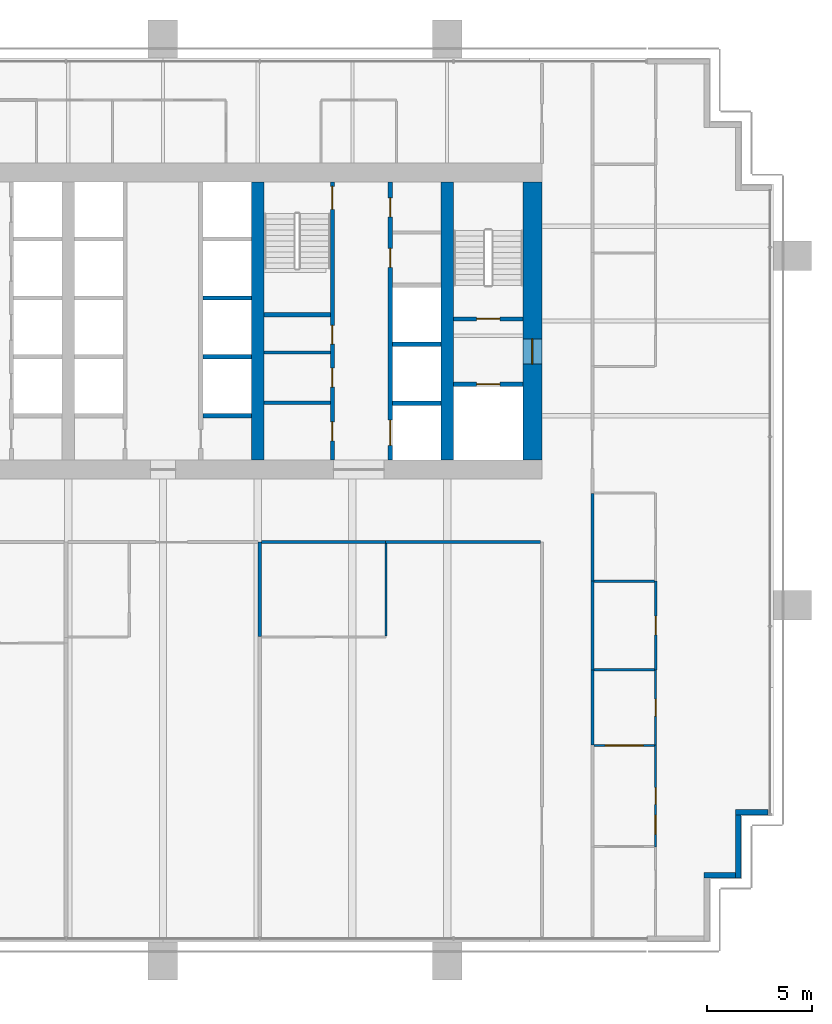
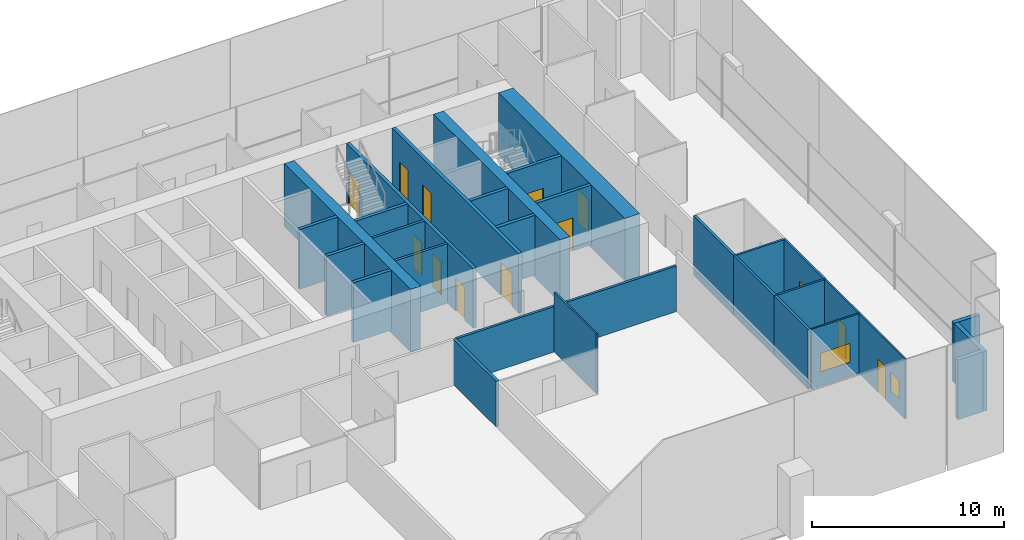
# One storey, part 12 of 17: 31 walls, 13 doors, 2 windows, 15 openings.
"""IFC4 building model written with IfcOpenShell, lengths in metres."""

from ifc_helpers import new_model, si_unit, direction, frame, frame_2d, origin, place, context, subcontext, project, spatial, rectangle, extrude, material, layer, layer_set, type_object, element, fill, save


model = new_model("IFC4")

# Units and contexts
model_context = context("Model", 3, precision=1e-05, world=origin(), true_north=direction((0.0, 1.0)))
body_context = subcontext(model_context, "Body", "Model", "MODEL_VIEW")
ifc_project = project(units=[si_unit("LENGTHUNIT", "METRE"), si_unit("AREAUNIT", "SQUARE_METRE"), si_unit("VOLUMEUNIT", "CUBIC_METRE"), si_unit("PLANEANGLEUNIT", "RADIAN"), si_unit("MASSUNIT", "GRAM", prefix="KILO")], contexts=[model_context])

# Site, building, storey
site_placement = place(None, origin())
site = spatial("IfcSite", under=ifc_project, at=site_placement, CompositionType="ELEMENT")
building_placement = place(site_placement, origin())
building = spatial("IfcBuilding", under=site, at=building_placement, Name="Rattan Terrace Tower", CompositionType="ELEMENT")
storey_placement = place(building_placement, frame((0.0, 0.0, 138.10009765625)))
storey = spatial("IfcBuildingStorey", under=building, at=storey_placement, Name="L31", CompositionType="ELEMENT", Elevation=138.10009765625)

# Walls
ifc_material_1 = material(Name="Gypsum board partition")
ifc_layer_1 = layer(ifc_material_1, 0.14990234375)
ifc_layer_set_1 = layer_set([ifc_layer_1], Name="Core partition 150")
wall_type_1 = type_object("IfcWallType", Name="Core partition 150", PredefinedType="PARTITIONING", material=ifc_layer_set_1)
for number, where, z_axis, x_axis, name in (
    (1, (4.800048828125, -3.8798828125, 0.0), (0.0, 0.0, 1.0), (1.0, 0.0, 0.0), "Toilet wall"),
    (2, (4.800048828125, -1.5, 0.0), (0.0, 0.0, 1.0), (1.0, 0.0, 0.0), "Toilet wall"),
):
    element("IfcWall", number, at=place(storey_placement, frame(where, z_axis=z_axis, x_axis=x_axis)), inside=storey, type_object=wall_type_1, Name=name, PredefinedType="PARTITIONING", context=body_context, shape_type="SweptSolid", body=[
        extrude(rectangle(XDim=3.14990234375, YDim=0.14990234375, at=frame_2d((1.574951171875, 0.0))), origin(), (0.0, 0.0, 1.0), 3.7998046875),
    ])

# Wall, opening, door
ifc_material_2 = material(Name="Gypsum board partition")
ifc_layer_2 = layer(ifc_material_2, 0.199951171875)
ifc_layer_set_2 = layer_set([ifc_layer_2], Name="Core partition 200")
wall_type_2 = type_object("IfcWallType", Name="Core partition 200", PredefinedType="PARTITIONING", material=ifc_layer_set_2)
wall_1_placement = place(storey_placement, frame((13.800048828125, -3.0, 0.0), z_axis=(0.0, 0.0, 1.0), x_axis=(1.0, 0.0, 0.0)))
wall_1 = element("IfcWall", 3, at=wall_1_placement, inside=storey, type_object=wall_type_2, Name="Fire-fighting lobby wall", PredefinedType="PARTITIONING", context=body_context, shape_type="SweptSolid", body=[
    extrude(rectangle(XDim=3.300048828125, YDim=0.199951171875, at=frame_2d((1.64990234375, 0.0))), origin(), (0.0, 0.0, 1.0), 3.7998046875),
])
opening_1_placement = place(wall_1_placement, frame((1.10009765625, 0.0, 0.0)))
opening_1 = element("IfcOpeningElement", 4, at=opening_1_placement, cuts=wall_1, Name="Opening L31-LD-FF2", PredefinedType="OPENING", context=body_context, shape_type="SweptSolid", body=[
    extrude(rectangle(XDim=1.10009765625, YDim=2.10009765625, at=frame_2d((0.550048828125, 1.050048828125))), frame((0.0, 0.110595703125, 0.0), z_axis=(0.0, -1.0, 0.0), x_axis=(1.0, 0.0, 0.0)), (0.0, 0.0, 1.0), 0.220947265625),
])
ifc_material_3 = material(Name="Brushed stainless landing door panel")
door_type_1 = type_object("IfcDoorType", Name="Core lift landing door 1100", OperationType="DOUBLE_DOOR_SLIDING", PredefinedType="DOOR", material=ifc_material_3)
door_1_placement = place(opening_1_placement, origin())
door_1 = element("IfcDoor", 5, at=door_1_placement, inside=storey, type_object=door_type_1, Name="Door L31-LD-FF2", OperationType="DOUBLE_DOOR_SLIDING", OverallHeight=2.10009765625, OverallWidth=1.10009765625, PredefinedType="DOOR", context=body_context, shape_type="SweptSolid", body=[
    extrude(rectangle(XDim=1.10009765625, YDim=2.10009765625, at=frame_2d((0.550048828125, 1.050048828125))), frame((0.0, 0.02490234375, 0.0), z_axis=(0.0, -1.0, 0.0), x_axis=(1.0, 0.0, 0.0)), (0.0, 0.0, 1.0), 0.050048828125),
])
fill(opening_1, door_1)

wall_2_placement = place(storey_placement, frame((13.800048828125, 0.10009765625, 0.0), z_axis=(0.0, 0.0, 1.0), x_axis=(1.0, 0.0, 0.0)))
wall_2 = element("IfcWall", 6, at=wall_2_placement, inside=storey, type_object=wall_type_2, Name="Stair enclosure wall", PredefinedType="PARTITIONING", context=body_context, shape_type="SweptSolid", body=[
    extrude(rectangle(XDim=3.300048828125, YDim=0.199951171875, at=frame_2d((1.64990234375, 0.0))), origin(), (0.0, 0.0, 1.0), 3.7998046875),
])
opening_2_placement = place(wall_2_placement, frame((1.10009765625, 0.0, 0.0)))
opening_2 = element("IfcOpeningElement", 7, at=opening_2_placement, cuts=wall_2, Name="Opening L31-D004", PredefinedType="OPENING", context=body_context, shape_type="SweptSolid", body=[
    extrude(rectangle(XDim=1.10009765625, YDim=2.10009765625, at=frame_2d((0.550048828125, 1.050048828125))), frame((0.0, 0.110595703125, 0.0), z_axis=(0.0, -1.0, 0.0), x_axis=(1.0, 0.0, 0.0)), (0.0, 0.0, 1.0), 0.220947265625),
])
ifc_material_4 = material(Name="Hollow-metal fire door leaf")
door_type_2 = type_object("IfcDoorType", Name="Core stair door 1100", OperationType="NOTDEFINED", PredefinedType="DOOR", material=ifc_material_4)
door_2_placement = place(opening_2_placement, origin())
door_2 = element("IfcDoor", 8, at=door_2_placement, inside=storey, type_object=door_type_2, Name="Door L31-D004", OperationType="SINGLE_SWING_LEFT", OverallHeight=2.10009765625, OverallWidth=1.10009765625, PredefinedType="DOOR", context=body_context, shape_type="SweptSolid", body=[
    extrude(rectangle(XDim=1.10009765625, YDim=2.10009765625, at=frame_2d((0.550048828125, 1.050048828125))), frame((0.0, 0.02490234375, 0.0), z_axis=(0.0, -1.0, 0.0), x_axis=(1.0, 0.0, 0.0)), (0.0, 0.0, 1.0), 0.050048828125),
])
fill(opening_2, door_2)

# Wall, openings, doors
wall_3_placement = place(storey_placement, frame((8.050048828125, -6.60009765625, 0.0), z_axis=(0.0, 0.0, 1.0), x_axis=(0.0, 1.0, 0.0)))
wall_3 = element("IfcWall", 9, at=wall_3_placement, inside=storey, type_object=wall_type_2, Name="Lobby wall west", PredefinedType="PARTITIONING", context=body_context, shape_type="SweptSolid", body=[
    extrude(rectangle(XDim=13.2001953125, YDim=0.199951171875, at=frame_2d((6.60009765625, 0.0))), origin(), (0.0, 0.0, 1.0), 3.7998046875),
])
opening_3_placement = place(wall_3_placement, frame((0.909912109375, 0.0, 0.0)))
opening_3 = element("IfcOpeningElement", 10, at=opening_3_placement, cuts=wall_3, Name="Opening L31-D011", PredefinedType="OPENING", context=body_context, shape_type="SweptSolid", body=[
    extrude(rectangle(XDim=0.89990234375, YDim=2.10009765625, at=frame_2d((0.449951171875, 1.050048828125))), frame((0.0, 0.110595703125, 0.0), z_axis=(0.0, -1.0, 0.0), x_axis=(1.0, 0.0, 0.0)), (0.0, 0.0, 1.0), 0.220947265625),
])
opening_4_placement = place(wall_3_placement, frame((3.4599609375, 0.0, 0.0)))
opening_4 = element("IfcOpeningElement", 11, at=opening_4_placement, cuts=wall_3, Name="Opening L31-D012", PredefinedType="OPENING", context=body_context, shape_type="SweptSolid", body=[
    extrude(rectangle(XDim=0.89990234375, YDim=2.10009765625, at=frame_2d((0.449951171875, 1.050048828125))), frame((0.0, 0.110595703125, 0.0), z_axis=(0.0, -1.0, 0.0), x_axis=(1.0, 0.0, 0.0)), (0.0, 0.0, 1.0), 0.220947265625),
])
opening_5_placement = place(wall_3_placement, frame((5.5, 0.0, 0.0)))
opening_5 = element("IfcOpeningElement", 12, at=opening_5_placement, cuts=wall_3, Name="Opening L31-D013", PredefinedType="OPENING", context=body_context, shape_type="SweptSolid", body=[
    extrude(rectangle(XDim=0.89990234375, YDim=2.10009765625, at=frame_2d((0.449951171875, 1.050048828125))), frame((0.0, 0.110595703125, 0.0), z_axis=(0.0, -1.0, 0.0), x_axis=(1.0, 0.0, 0.0)), (0.0, 0.0, 1.0), 0.220947265625),
])
opening_6_placement = place(wall_3_placement, frame((11.89990234375, 0.0, 0.0)))
opening_6 = element("IfcOpeningElement", 13, at=opening_6_placement, cuts=wall_3, Name="Opening L31-D014", PredefinedType="OPENING", context=body_context, shape_type="SweptSolid", body=[
    extrude(rectangle(XDim=1.10009765625, YDim=2.10009765625, at=frame_2d((0.550048828125, 1.050048828125))), frame((0.0, 0.110595703125, 0.0), z_axis=(0.0, -1.0, 0.0), x_axis=(1.0, 0.0, 0.0)), (0.0, 0.0, 1.0), 0.220947265625),
])
ifc_material_5 = material(Name="Hollow-metal fire door leaf")
door_type_3 = type_object("IfcDoorType", Name="Core service room door 900", OperationType="NOTDEFINED", PredefinedType="DOOR", material=ifc_material_5)
door_3_placement = place(opening_5_placement, origin())
door_3 = element("IfcDoor", 14, at=door_3_placement, inside=storey, type_object=door_type_3, Name="Door L31-D013", OperationType="SINGLE_SWING_LEFT", OverallHeight=2.10009765625, OverallWidth=0.89990234375, PredefinedType="DOOR", context=body_context, shape_type="SweptSolid", body=[
    extrude(rectangle(XDim=0.89990234375, YDim=2.10009765625, at=frame_2d((0.449951171875, 1.050048828125))), frame((0.0, 0.02490234375, 0.0), z_axis=(0.0, -1.0, 0.0), x_axis=(1.0, 0.0, 0.0)), (0.0, 0.0, 1.0), 0.050048828125),
])
fill(opening_5, door_3)
door_4_placement = place(opening_6_placement, origin())
door_4 = element("IfcDoor", 15, at=door_4_placement, inside=storey, type_object=door_type_2, Name="Door L31-D014", OperationType="SINGLE_SWING_RIGHT", OverallHeight=2.10009765625, OverallWidth=1.10009765625, PredefinedType="DOOR", context=body_context, shape_type="SweptSolid", body=[
    extrude(rectangle(XDim=1.10009765625, YDim=2.10009765625, at=frame_2d((0.550048828125, 1.050048828125))), frame((0.0, 0.02490234375, 0.0), z_axis=(0.0, -1.0, 0.0), x_axis=(1.0, 0.0, 0.0)), (0.0, 0.0, 1.0), 0.050048828125),
])
fill(opening_6, door_4)
ifc_material_6 = material(Name="Hollow-metal fire door leaf")
door_type_4 = type_object("IfcDoorType", Name="Core toilet door 900", OperationType="NOTDEFINED", PredefinedType="DOOR", material=ifc_material_6)
door_5_placement = place(opening_3_placement, origin())
door_5 = element("IfcDoor", 16, at=door_5_placement, inside=storey, type_object=door_type_4, Name="Door L31-D011", OperationType="SINGLE_SWING_LEFT", OverallHeight=2.10009765625, OverallWidth=0.89990234375, PredefinedType="DOOR", context=body_context, shape_type="SweptSolid", body=[
    extrude(rectangle(XDim=0.89990234375, YDim=2.10009765625, at=frame_2d((0.449951171875, 1.050048828125))), frame((0.0, 0.02490234375, 0.0), z_axis=(0.0, -1.0, 0.0), x_axis=(1.0, 0.0, 0.0)), (0.0, 0.0, 1.0), 0.050048828125),
])
fill(opening_3, door_5)
door_6_placement = place(opening_4_placement, origin())
door_6 = element("IfcDoor", 17, at=door_6_placement, inside=storey, type_object=door_type_4, Name="Door L31-D012", OperationType="SINGLE_SWING_RIGHT", OverallHeight=2.10009765625, OverallWidth=0.89990234375, PredefinedType="DOOR", context=body_context, shape_type="SweptSolid", body=[
    extrude(rectangle(XDim=0.89990234375, YDim=2.10009765625, at=frame_2d((0.449951171875, 1.050048828125))), frame((0.0, 0.02490234375, 0.0), z_axis=(0.0, -1.0, 0.0), x_axis=(1.0, 0.0, 0.0)), (0.0, 0.0, 1.0), 0.050048828125),
])
fill(opening_4, door_6)

# Wall
wall_4_placement = place(storey_placement, frame((4.800048828125, 0.300048828125, 0.0), z_axis=(0.0, 0.0, 1.0), x_axis=(1.0, 0.0, 0.0)))
element("IfcWall", 18, at=wall_4_placement, inside=storey, type_object=wall_type_2, Name="Stair enclosure wall", PredefinedType="PARTITIONING", context=body_context, shape_type="SweptSolid", body=[
    extrude(rectangle(XDim=3.14990234375, YDim=0.199951171875, at=frame_2d((1.574951171875, 0.0))), origin(), (0.0, 0.0, 1.0), 3.7998046875),
])

# Wall, opening, door
ifc_material_7 = material(Name="Concrete C60/75", Category="concrete")
ifc_layer_3 = layer(ifc_material_7, 0.89990234375)
ifc_layer_set_3 = layer_set([ifc_layer_3], Name="Core ring wall 900 C60/75")
wall_type_3 = type_object("IfcWallType", Name="Core ring wall 900 C60/75", PredefinedType="SHEAR", material=ifc_layer_set_3)
wall_5_placement = place(storey_placement, frame((17.550048828125, -6.60009765625, -0.2001953125), z_axis=(0.0, 0.0, 1.0), x_axis=(0.0, 1.0, 0.0)))
wall_5 = element("IfcWall", 19, at=wall_5_placement, inside=storey, type_object=wall_type_3, Name="Rear core wall east", PredefinedType="SHEAR", context=body_context, shape_type="SweptSolid", body=[
    extrude(rectangle(XDim=13.2001953125, YDim=0.89990234375, at=frame_2d((6.60009765625, 0.0))), origin(), (0.0, 0.0, 1.0), 4.0),
])
opening_7_placement = place(wall_5_placement, frame((4.550048828125, 0.0, 0.199951171875)))
opening_7 = element("IfcOpeningElement", 20, at=opening_7_placement, cuts=wall_5, Name="Opening L31-D003", PredefinedType="OPENING", context=body_context, shape_type="SweptSolid", body=[
    extrude(rectangle(XDim=1.199951171875, YDim=2.10009765625, at=frame_2d((0.60009765625, 1.050048828125))), frame((0.0, 0.46044921875, 0.0), z_axis=(0.0, -1.0, 0.0), x_axis=(1.0, 0.0, 0.0)), (0.0, 0.0, 1.0), 0.9208984375),
])
ifc_material_8 = material(Name="Hollow-metal fire door leaf")
door_type_5 = type_object("IfcDoorType", Name="Core fire-fighting lobby door 1200", OperationType="NOTDEFINED", PredefinedType="DOOR", material=ifc_material_8)
door_7_placement = place(opening_7_placement, origin())
door_7 = element("IfcDoor", 21, at=door_7_placement, inside=storey, type_object=door_type_5, Name="Door L31-D003", OperationType="SINGLE_SWING_RIGHT", OverallHeight=2.10009765625, OverallWidth=1.199951171875, PredefinedType="DOOR", context=body_context, shape_type="SweptSolid", body=[
    extrude(rectangle(XDim=1.199951171875, YDim=2.10009765625, at=frame_2d((0.60009765625, 1.050048828125))), frame((0.0, 0.02490234375, 0.0), z_axis=(0.0, -1.0, 0.0), x_axis=(1.0, 0.0, 0.0)), (0.0, 0.0, 1.0), 0.050048828125),
])
fill(opening_7, door_7)

# Walls
ifc_material_9 = material(Name="Concrete C60/75", Category="concrete")
ifc_layer_4 = layer(ifc_material_9, 0.60009765625)
ifc_layer_set_4 = layer_set([ifc_layer_4], Name="Core spine wall 600 C60/75")
wall_type_4 = type_object("IfcWallType", Name="Core spine wall 600 C60/75", PredefinedType="SHEAR", material=ifc_layer_set_4)
for number, where, z_axis, x_axis, name in (
    (22, (4.5, -6.60009765625, -0.2001953125), (0.0, 0.0, 1.0), (0.0, 1.0, 0.0), "Core spine wall 3"),
    (23, (13.5, -6.60009765625, -0.2001953125), (0.0, 0.0, 1.0), (0.0, 1.0, 0.0), "Core spine wall 4"),
):
    element("IfcWall", number, at=place(storey_placement, frame(where, z_axis=z_axis, x_axis=x_axis)), inside=storey, type_object=wall_type_4, Name=name, PredefinedType="SHEAR", context=body_context, shape_type="SweptSolid", body=[
        extrude(rectangle(XDim=13.2001953125, YDim=0.60009765625, at=frame_2d((6.60009765625, 0.0))), origin(), (0.0, 0.0, 1.0), 4.0),
    ])
ifc_material_10 = material(Name="Insulated aluminium-clad stud wall", Category="aluminium")
ifc_layer_5 = layer(ifc_material_10, 0.25)
ifc_layer_set_5 = layer_set([ifc_layer_5], Name="Facade Riser Wall 250")
wall_type_5 = type_object("IfcWallType", Name="Facade Riser Wall 250", PredefinedType="SOLIDWALL", material=ifc_layer_set_5)
wall_6_placement = place(storey_placement, frame((25.705078125, -26.330078125, 0.0), z_axis=(0.0, 0.0, 1.0), x_axis=(1.0, 0.0, 0.0)))
element("IfcWall", 24, at=wall_6_placement, inside=storey, type_object=wall_type_5, Name="Riser wall L31-3", PredefinedType="SOLIDWALL", context=body_context, shape_type="SweptSolid", body=[
    extrude(rectangle(XDim=1.5, YDim=0.25, at=frame_2d((0.75, 0.0))), origin(), (0.0, 0.0, 1.0), 3.7998046875),
])
wall_7_placement = place(storey_placement, frame((27.330078125, -26.455078125, 0.0), z_axis=(0.0, 0.0, 1.0), x_axis=(0.0, 1.0, 0.0)))
element("IfcWall", 25, at=wall_7_placement, inside=storey, type_object=wall_type_5, Name="Riser wall L31-4", PredefinedType="SOLIDWALL", context=body_context, shape_type="SweptSolid", body=[
    extrude(rectangle(XDim=3.0, YDim=0.25, at=frame_2d((1.5, 0.0))), origin(), (0.0, 0.0, 1.0), 3.7998046875),
])
wall_8_placement = place(storey_placement, frame((27.205078125, -23.330078125, 0.0), z_axis=(0.0, 0.0, 1.0), x_axis=(1.0, 0.0, 0.0)))
element("IfcWall", 26, at=wall_8_placement, inside=storey, type_object=wall_type_5, Name="Riser wall L31-5", PredefinedType="SOLIDWALL", context=body_context, shape_type="SweptSolid", body=[
    extrude(rectangle(XDim=1.544921875, YDim=0.25, at=frame_2d((0.7724609375, 0.0))), origin(), (0.0, 0.0, 1.0), 3.7998046875),
])
ifc_material_11 = material(Name="Double steel stud acoustic partition, gypsum board, mineral wool, fire rated", Category="steel")
ifc_layer_6 = layer(ifc_material_11, 0.179931640625)
ifc_layer_set_6 = layer_set([ifc_layer_6], Name="Floors Acoustic Party Wall 180")
wall_type_6 = type_object("IfcWallType", Name="Floors Acoustic Party Wall 180", PredefinedType="PARTITIONING", material=ifc_layer_set_6)
wall_9_placement = place(storey_placement, frame((4.60009765625, -10.5, 0.0), z_axis=(0.0, 0.0, 1.0), x_axis=(0.0, -1.0, 0.0)))
element("IfcWall", 27, at=wall_9_placement, inside=storey, type_object=wall_type_6, Name="pt-L31-082", PredefinedType="PARTITIONING", context=body_context, shape_type="SweptSolid", body=[
    extrude(rectangle(XDim=4.47998046875, YDim=0.179931640625, at=frame_2d((2.239990234375, 0.0))), origin(), (0.0, 0.0, 1.0), 2.89990234375),
])

# Wall, openings, door, window
ifc_material_12 = material(Name="Gypsum board partition on steel studs", Category="steel")
ifc_layer_7 = layer(ifc_material_12, 0.10009765625)
ifc_layer_set_7 = layer_set([ifc_layer_7], Name="Floors Partition 100")
wall_type_7 = type_object("IfcWallType", Name="Floors Partition 100", PredefinedType="PARTITIONING", material=ifc_layer_set_7)
wall_10_placement = place(storey_placement, frame((23.39990234375, -24.97998046875, 0.0), z_axis=(0.0, 0.0, 1.0), x_axis=(0.0, 1.0, 0.0)))
wall_10 = element("IfcWall", 28, at=wall_10_placement, inside=storey, type_object=wall_type_7, Name="pt-L31-046", PredefinedType="PARTITIONING", context=body_context, shape_type="SweptSolid", body=[
    extrude(rectangle(XDim=4.840087890625, YDim=0.10009765625, at=frame_2d((2.419921875, 0.0))), origin(), (0.0, 0.0, 1.0), 3.7998046875),
])
opening_8_placement = place(wall_10_placement, frame((2.02001953125, 0.0, 0.0)))
opening_8 = element("IfcOpeningElement", 29, at=opening_8_placement, cuts=wall_10, Name="Opening L31-D110", PredefinedType="OPENING", context=body_context, shape_type="SweptSolid", body=[
    extrude(rectangle(XDim=0.800048828125, YDim=2.10009765625, at=frame_2d((0.39990234375, 1.050048828125))), frame((0.0, 0.060546875, 0.0), z_axis=(0.0, -1.0, 0.0), x_axis=(1.0, 0.0, 0.0)), (0.0, 0.0, 1.0), 0.12109375),
])
opening_9_placement = place(wall_10_placement, frame((0.594970703125, 0.0, 0.89990234375)))
opening_9 = element("IfcOpeningElement", 30, at=opening_9_placement, cuts=wall_10, Name="Opening L31-W101", PredefinedType="OPENING", context=body_context, shape_type="SweptSolid", body=[
    extrude(rectangle(XDim=0.89990234375, YDim=1.199951171875, at=frame_2d((0.449951171875, 0.60009765625))), frame((0.0, 0.060546875, 0.0), z_axis=(0.0, -1.0, 0.0), x_axis=(1.0, 0.0, 0.0)), (0.0, 0.0, 1.0), 0.12109375),
])
ifc_material_13 = material(Name="Solid core timber door, painted", Category="wood")
door_type_6 = type_object("IfcDoorType", Name="Floors Store Door 800x2100", OperationType="NOTDEFINED", PredefinedType="DOOR", material=ifc_material_13)
door_8_placement = place(opening_8_placement, origin())
door_8 = element("IfcDoor", 31, at=door_8_placement, inside=storey, type_object=door_type_6, Name="d-L31-110", OperationType="SINGLE_SWING_LEFT", OverallHeight=2.10009765625, OverallWidth=0.800048828125, PredefinedType="DOOR", context=body_context, shape_type="SweptSolid", body=[
    extrude(rectangle(XDim=0.800048828125, YDim=2.10009765625, at=frame_2d((0.39990234375, 1.050048828125))), frame((0.0, 0.02490234375, 0.0), z_axis=(0.0, -1.0, 0.0), x_axis=(1.0, 0.0, 0.0)), (0.0, 0.0, 1.0), 0.050048828125),
])
fill(opening_8, door_8)
ifc_material_14 = material(Name="Glass, clear, fixed in aluminium frame", Category="aluminium")
window_type_1 = type_object("IfcWindowType", Name="Interior Vision Window 900x1200", PartitioningType="SINGLE_PANEL", PredefinedType="WINDOW", material=ifc_material_14)
window_1_placement = place(opening_9_placement, origin())
window_1 = element("IfcWindow", 32, at=window_1_placement, inside=storey, type_object=window_type_1, Name="w-L31-101", OverallHeight=1.199951171875, OverallWidth=0.89990234375, PartitioningType="SINGLE_PANEL", PredefinedType="WINDOW", context=body_context, shape_type="SweptSolid", body=[
    extrude(rectangle(XDim=0.89990234375, YDim=1.199951171875, at=frame_2d((0.449951171875, 0.60009765625))), frame((0.0, 0.030029296875, 0.0), z_axis=(0.0, -1.0, 0.0), x_axis=(1.0, 0.0, 0.0)), (0.0, 0.0, 1.0), 0.06005859375),
])
fill(opening_9, window_1)

# Wall, opening, door
wall_11_placement = place(storey_placement, frame((23.39990234375, -20.139892578125, 0.0), z_axis=(0.0, 0.0, 1.0), x_axis=(0.0, 1.0, 0.0)))
wall_11 = element("IfcWall", 33, at=wall_11_placement, inside=storey, type_object=wall_type_7, Name="pt-L31-047", PredefinedType="PARTITIONING", context=body_context, shape_type="SweptSolid", body=[
    extrude(rectangle(XDim=3.559814453125, YDim=0.10009765625, at=frame_2d((1.77978515625, 0.0))), origin(), (0.0, 0.0, 1.0), 3.7998046875),
])
opening_10_placement = place(wall_11_placement, frame((1.3798828125, 0.0, 0.0)))
opening_10 = element("IfcOpeningElement", 34, at=opening_10_placement, cuts=wall_11, Name="Opening L31-D111", PredefinedType="OPENING", context=body_context, shape_type="SweptSolid", body=[
    extrude(rectangle(XDim=0.800048828125, YDim=2.10009765625, at=frame_2d((0.39990234375, 1.050048828125))), frame((0.0, 0.060546875, 0.0), z_axis=(0.0, -1.0, 0.0), x_axis=(1.0, 0.0, 0.0)), (0.0, 0.0, 1.0), 0.12109375),
])
door_9_placement = place(opening_10_placement, origin())
door_9 = element("IfcDoor", 35, at=door_9_placement, inside=storey, type_object=door_type_6, Name="d-L31-111", OperationType="SINGLE_SWING_RIGHT", OverallHeight=2.10009765625, OverallWidth=0.800048828125, PredefinedType="DOOR", context=body_context, shape_type="SweptSolid", body=[
    extrude(rectangle(XDim=0.800048828125, YDim=2.10009765625, at=frame_2d((0.39990234375, 1.050048828125))), frame((0.0, 0.02490234375, 0.0), z_axis=(0.0, -1.0, 0.0), x_axis=(1.0, 0.0, 0.0)), (0.0, 0.0, 1.0), 0.050048828125),
])
fill(opening_10, door_9)

# Wall, opening, window
wall_12_placement = place(storey_placement, frame((20.47509765625, -20.159912109375, 0.0), z_axis=(0.0, 0.0, 1.0), x_axis=(1.0, 0.0, 0.0)))
wall_12 = element("IfcWall", 36, at=wall_12_placement, inside=storey, type_object=wall_type_7, Name="pt-L31-056", PredefinedType="PARTITIONING", context=body_context, shape_type="SweptSolid", body=[
    extrude(rectangle(XDim=2.875, YDim=0.10009765625, at=frame_2d((1.4375, 0.0))), origin(), (0.0, 0.0, 1.0), 3.7998046875),
])
opening_11_placement = place(wall_12_placement, frame((0.537109375, 0.0, 0.89990234375)))
opening_11 = element("IfcOpeningElement", 37, at=opening_11_placement, cuts=wall_12, Name="Opening L31-W103", PredefinedType="OPENING", context=body_context, shape_type="SweptSolid", body=[
    extrude(rectangle(XDim=1.800048828125, YDim=1.199951171875, at=frame_2d((0.89990234375, 0.60009765625))), frame((0.0, 0.060546875, 0.0), z_axis=(0.0, -1.0, 0.0), x_axis=(1.0, 0.0, 0.0)), (0.0, 0.0, 1.0), 0.12109375),
])
ifc_material_15 = material(Name="Glass, clear, fixed in aluminium frame", Category="aluminium")
window_type_2 = type_object("IfcWindowType", Name="Interior Vision Window 1800x1200", PartitioningType="SINGLE_PANEL", PredefinedType="WINDOW", material=ifc_material_15)
window_2_placement = place(opening_11_placement, origin())
window_2 = element("IfcWindow", 38, at=window_2_placement, inside=storey, type_object=window_type_2, Name="w-L31-103", OverallHeight=1.199951171875, OverallWidth=1.800048828125, PartitioningType="SINGLE_PANEL", PredefinedType="WINDOW", context=body_context, shape_type="SweptSolid", body=[
    extrude(rectangle(XDim=1.800048828125, YDim=1.199951171875, at=frame_2d((0.89990234375, 0.60009765625))), frame((0.0, 0.030029296875, 0.0), z_axis=(0.0, -1.0, 0.0), x_axis=(1.0, 0.0, 0.0)), (0.0, 0.0, 1.0), 0.06005859375),
])
fill(opening_11, window_2)

# Walls
wall_13_placement = place(storey_placement, frame((10.60009765625, -14.949951171875, 0.0), z_axis=(0.0, 0.0, 1.0), x_axis=(0.0, 1.0, 0.0)))
element("IfcWall", 39, at=wall_13_placement, inside=storey, type_object=wall_type_7, Name="pt-L31-084", PredefinedType="PARTITIONING", context=body_context, shape_type="SweptSolid", body=[
    extrude(rectangle(XDim=4.375, YDim=0.10009765625, at=frame_2d((2.1875, 0.0))), origin(), (0.0, 0.0, 1.0), 3.7998046875),
])
ifc_material_16 = material(Name="Gypsum board partition on steel studs, fire rated", Category="steel")
ifc_layer_8 = layer(ifc_material_16, 0.14990234375)
ifc_layer_set_8 = layer_set([ifc_layer_8], Name="Floors Tenancy Wall 150")
wall_type_8 = type_object("IfcWallType", Name="Floors Tenancy Wall 150", PredefinedType="PARTITIONING", material=ifc_layer_set_8)
wall_14_placement = place(storey_placement, frame((20.39990234375, -16.580078125, 0.0), z_axis=(0.0, 0.0, 1.0), x_axis=(0.0, -1.0, 0.0)))
element("IfcWall", 40, at=wall_14_placement, inside=storey, type_object=wall_type_8, Name="pt-L31-012", PredefinedType="PARTITIONING", context=body_context, shape_type="SweptSolid", body=[
    extrude(rectangle(XDim=3.559814453125, YDim=0.14990234375, at=frame_2d((1.77978515625, 0.0))), origin(), (0.0, 0.0, 1.0), 3.7998046875),
])
wall_15_placement = place(storey_placement, frame((20.39990234375, -12.340087890625, 0.0), z_axis=(0.0, 0.0, 1.0), x_axis=(0.0, -1.0, 0.0)))
element("IfcWall", 41, at=wall_15_placement, inside=storey, type_object=wall_type_8, Name="pt-L31-013", PredefinedType="PARTITIONING", context=body_context, shape_type="SweptSolid", body=[
    extrude(rectangle(XDim=4.239990234375, YDim=0.14990234375, at=frame_2d((2.1201171875, 0.0))), origin(), (0.0, 0.0, 1.0), 3.7998046875),
])
wall_16_placement = place(storey_placement, frame((20.39990234375, -8.179931640625, 0.0), z_axis=(0.0, 0.0, 1.0), x_axis=(0.0, -1.0, 0.0)))
element("IfcWall", 42, at=wall_16_placement, inside=storey, type_object=wall_type_8, Name="pt-L31-014", PredefinedType="PARTITIONING", context=body_context, shape_type="SweptSolid", body=[
    extrude(rectangle(XDim=4.16015625, YDim=0.14990234375, at=frame_2d((2.080078125, 0.0))), origin(), (0.0, 0.0, 1.0), 3.7998046875),
])
wall_17_placement = place(storey_placement, frame((17.925048828125, -10.5, 0.0), z_axis=(0.0, 0.0, 1.0), x_axis=(-1.0, 0.0, 0.0)))
element("IfcWall", 43, at=wall_17_placement, inside=storey, type_object=wall_type_8, Name="pt-L31-028", PredefinedType="PARTITIONING", context=body_context, shape_type="SweptSolid", body=[
    extrude(rectangle(XDim=7.344970703125, YDim=0.14990234375, at=frame_2d((3.67236328125, 0.0))), origin(), (0.0, 0.0, 1.0), 2.89990234375),
])
wall_18_placement = place(storey_placement, frame((10.580078125, -10.5, 0.0), z_axis=(0.0, 0.0, 1.0), x_axis=(-1.0, 0.0, 0.0)))
element("IfcWall", 44, at=wall_18_placement, inside=storey, type_object=wall_type_8, Name="pt-L31-030", PredefinedType="PARTITIONING", context=body_context, shape_type="SweptSolid", body=[
    extrude(rectangle(XDim=5.89013671875, YDim=0.14990234375, at=frame_2d((2.945068359375, 0.0))), origin(), (0.0, 0.0, 1.0), 2.89990234375),
])

# Wall, opening, door
ifc_material_17 = material(Name="Moisture resistant gypsum board partition on steel studs with service cavity", Category="steel")
ifc_layer_9 = layer(ifc_material_17, 0.1201171875)
ifc_layer_set_9 = layer_set([ifc_layer_9], Name="Floors Wet Wall 120")
wall_type_9 = type_object("IfcWallType", Name="Floors Wet Wall 120", PredefinedType="PARTITIONING", material=ifc_layer_set_9)
wall_19_placement = place(storey_placement, frame((23.39990234375, -16.580078125, 0.0), z_axis=(0.0, 0.0, 1.0), x_axis=(0.0, 1.0, 0.0)))
wall_19 = element("IfcWall", 45, at=wall_19_placement, inside=storey, type_object=wall_type_9, Name="pt-L31-048", PredefinedType="PARTITIONING", context=body_context, shape_type="SweptSolid", body=[
    extrude(rectangle(XDim=4.239990234375, YDim=0.1201171875, at=frame_2d((2.1201171875, 0.0))), origin(), (0.0, 0.0, 1.0), 3.7998046875),
])
opening_12_placement = place(wall_19_placement, frame((1.669921875, 0.0, 0.0)))
opening_12 = element("IfcOpeningElement", 46, at=opening_12_placement, cuts=wall_19, Name="Opening L31-D112", PredefinedType="OPENING", context=body_context, shape_type="SweptSolid", body=[
    extrude(rectangle(XDim=0.89990234375, YDim=2.10009765625, at=frame_2d((0.449951171875, 1.050048828125))), frame((0.0, 0.070556640625, 0.0), z_axis=(0.0, -1.0, 0.0), x_axis=(1.0, 0.0, 0.0)), (0.0, 0.0, 1.0), 0.14111328125),
])
ifc_material_18 = material(Name="Solid core timber door, painted", Category="wood")
door_type_7 = type_object("IfcDoorType", Name="Floors Door 900x2100", OperationType="NOTDEFINED", PredefinedType="DOOR", material=ifc_material_18)
door_10_placement = place(opening_12_placement, origin())
door_10 = element("IfcDoor", 47, at=door_10_placement, inside=storey, type_object=door_type_7, Name="d-L31-112", OperationType="SINGLE_SWING_LEFT", OverallHeight=2.10009765625, OverallWidth=0.89990234375, PredefinedType="DOOR", context=body_context, shape_type="SweptSolid", body=[
    extrude(rectangle(XDim=0.89990234375, YDim=2.10009765625, at=frame_2d((0.449951171875, 1.050048828125))), frame((0.0, 0.02490234375, 0.0), z_axis=(0.0, -1.0, 0.0), x_axis=(1.0, 0.0, 0.0)), (0.0, 0.0, 1.0), 0.050048828125),
])
fill(opening_12, door_10)

# Walls
for number, where, z_axis, x_axis, name in (
    (48, (20.47509765625, -16.56005859375, 0.0), (0.0, 0.0, 1.0), (1.0, 0.0, 0.0), "pt-L31-057"),
    (49, (20.47509765625, -12.360107421875, 0.0), (0.0, 0.0, 1.0), (1.0, 0.0, 0.0), "pt-L31-058"),
):
    element("IfcWall", number, at=place(storey_placement, frame(where, z_axis=z_axis, x_axis=x_axis)), inside=storey, type_object=wall_type_9, Name=name, PredefinedType="PARTITIONING", context=body_context, shape_type="SweptSolid", body=[
        extrude(rectangle(XDim=2.864990234375, YDim=0.1201171875, at=frame_2d((1.4326171875, 0.0))), origin(), (0.0, 0.0, 1.0), 3.7998046875),
    ])
ifc_material_19 = material(Name="Gypsum shaft wall system")
ifc_layer_10 = layer(ifc_material_19, 0.199951171875)
ifc_layer_set_10 = layer_set([ifc_layer_10], Name="Lift shaft wall 200")
wall_type_10 = type_object("IfcWallType", Name="Lift shaft wall 200", PredefinedType="PARTITIONING", material=ifc_layer_set_10)
for number, where, z_axis, x_axis, name in (
    (50, (1.89990234375, -1.699951171875, 0.0), (0.0, 0.0, 1.0), (1.0, 0.0, 0.0), "Lift shaft wall"),
    (51, (1.89990234375, 1.10009765625, 0.0), (0.0, 0.0, 1.0), (1.0, 0.0, 0.0), "Lift shaft wall"),
    (52, (1.89990234375, -4.5, 0.0), (0.0, 0.0, 1.0), (1.0, 0.0, 0.0), "Lift shaft wall"),
):
    element("IfcWall", number, at=place(storey_placement, frame(where, z_axis=z_axis, x_axis=x_axis)), inside=storey, type_object=wall_type_10, Name=name, PredefinedType="PARTITIONING", context=body_context, shape_type="SweptSolid", body=[
        extrude(rectangle(XDim=2.300048828125, YDim=0.199951171875, at=frame_2d((1.14990234375, 0.0))), origin(), (0.0, 0.0, 1.0), 3.7998046875),
    ])

# Wall, openings, doors
wall_20_placement = place(storey_placement, frame((10.800048828125, -6.60009765625, 0.0), z_axis=(0.0, 0.0, 1.0), x_axis=(0.0, 1.0, 0.0)))
wall_20 = element("IfcWall", 53, at=wall_20_placement, inside=storey, type_object=wall_type_10, Name="Lift shaft front wall", PredefinedType="PARTITIONING", context=body_context, shape_type="SweptSolid", body=[
    extrude(rectangle(XDim=13.2001953125, YDim=0.199951171875, at=frame_2d((6.60009765625, 0.0))), origin(), (0.0, 0.0, 1.0), 3.7998046875),
])
opening_13_placement = place(wall_20_placement, frame((0.699951171875, 0.0, 0.0)))
opening_13 = element("IfcOpeningElement", 54, at=opening_13_placement, cuts=wall_20, Name="Opening L31-LD-SV1", PredefinedType="OPENING", context=body_context, shape_type="SweptSolid", body=[
    extrude(rectangle(XDim=1.199951171875, YDim=2.10009765625, at=frame_2d((0.60009765625, 1.050048828125))), frame((0.0, 0.110595703125, 0.0), z_axis=(0.0, -1.0, 0.0), x_axis=(1.0, 0.0, 0.0)), (0.0, 0.0, 1.0), 0.220947265625),
])
opening_14_placement = place(wall_20_placement, frame((9.14990234375, 0.0, 0.0)))
opening_14 = element("IfcOpeningElement", 55, at=opening_14_placement, cuts=wall_20, Name="Opening L31-D016", PredefinedType="OPENING", context=body_context, shape_type="SweptSolid", body=[
    extrude(rectangle(XDim=0.89990234375, YDim=2.10009765625, at=frame_2d((0.449951171875, 1.050048828125))), frame((0.0, 0.110595703125, 0.0), z_axis=(0.0, -1.0, 0.0), x_axis=(1.0, 0.0, 0.0)), (0.0, 0.0, 1.0), 0.220947265625),
])
opening_15_placement = place(wall_20_placement, frame((11.550048828125, 0.0, 0.0)))
opening_15 = element("IfcOpeningElement", 56, at=opening_15_placement, cuts=wall_20, Name="Opening L31-D017", PredefinedType="OPENING", context=body_context, shape_type="SweptSolid", body=[
    extrude(rectangle(XDim=0.89990234375, YDim=2.10009765625, at=frame_2d((0.449951171875, 1.050048828125))), frame((0.0, 0.110595703125, 0.0), z_axis=(0.0, -1.0, 0.0), x_axis=(1.0, 0.0, 0.0)), (0.0, 0.0, 1.0), 0.220947265625),
])
ifc_material_20 = material(Name="Brushed stainless landing door panel")
door_type_8 = type_object("IfcDoorType", Name="Core lift landing door 1200", OperationType="DOUBLE_DOOR_SLIDING", PredefinedType="DOOR", material=ifc_material_20)
door_11_placement = place(opening_13_placement, origin())
door_11 = element("IfcDoor", 57, at=door_11_placement, inside=storey, type_object=door_type_8, Name="Door L31-LD-SV1", OperationType="DOUBLE_DOOR_SLIDING", OverallHeight=2.10009765625, OverallWidth=1.199951171875, PredefinedType="DOOR", context=body_context, shape_type="SweptSolid", body=[
    extrude(rectangle(XDim=1.199951171875, YDim=2.10009765625, at=frame_2d((0.60009765625, 1.050048828125))), frame((0.0, 0.02490234375, 0.0), z_axis=(0.0, -1.0, 0.0), x_axis=(1.0, 0.0, 0.0)), (0.0, 0.0, 1.0), 0.050048828125),
])
fill(opening_13, door_11)
ifc_material_21 = material(Name="Hollow-metal fire door leaf")
door_type_9 = type_object("IfcDoorType", Name="Core riser door 900", OperationType="NOTDEFINED", PredefinedType="DOOR", material=ifc_material_21)
door_12_placement = place(opening_14_placement, origin())
door_12 = element("IfcDoor", 58, at=door_12_placement, inside=storey, type_object=door_type_9, Name="Door L31-D016", OperationType="SINGLE_SWING_LEFT", OverallHeight=2.10009765625, OverallWidth=0.89990234375, PredefinedType="DOOR", context=body_context, shape_type="SweptSolid", body=[
    extrude(rectangle(XDim=0.89990234375, YDim=2.10009765625, at=frame_2d((0.449951171875, 1.050048828125))), frame((0.0, 0.02490234375, 0.0), z_axis=(0.0, -1.0, 0.0), x_axis=(1.0, 0.0, 0.0)), (0.0, 0.0, 1.0), 0.050048828125),
])
fill(opening_14, door_12)
door_13_placement = place(opening_15_placement, origin())
door_13 = element("IfcDoor", 59, at=door_13_placement, inside=storey, type_object=door_type_9, Name="Door L31-D017", OperationType="SINGLE_SWING_RIGHT", OverallHeight=2.10009765625, OverallWidth=0.89990234375, PredefinedType="DOOR", context=body_context, shape_type="SweptSolid", body=[
    extrude(rectangle(XDim=0.89990234375, YDim=2.10009765625, at=frame_2d((0.449951171875, 1.050048828125))), frame((0.0, 0.02490234375, 0.0), z_axis=(0.0, -1.0, 0.0), x_axis=(1.0, 0.0, 0.0)), (0.0, 0.0, 1.0), 0.050048828125),
])
fill(opening_15, door_13)

# Walls
for number, where, z_axis, x_axis, name in (
    (60, (10.89990234375, -3.89990234375, 0.0), (0.0, 0.0, 1.0), (1.0, 0.0, 0.0), "Lift shaft wall"),
    (61, (10.89990234375, -1.10009765625, 0.0), (0.0, 0.0, 1.0), (1.0, 0.0, 0.0), "Lift shaft wall"),
):
    element("IfcWall", number, at=place(storey_placement, frame(where, z_axis=z_axis, x_axis=x_axis)), inside=storey, type_object=wall_type_10, Name=name, PredefinedType="PARTITIONING", context=body_context, shape_type="SweptSolid", body=[
        extrude(rectangle(XDim=2.300048828125, YDim=0.199951171875, at=frame_2d((1.14990234375, 0.0))), origin(), (0.0, 0.0, 1.0), 3.7998046875),
    ])

save(model, "model.ifc")
